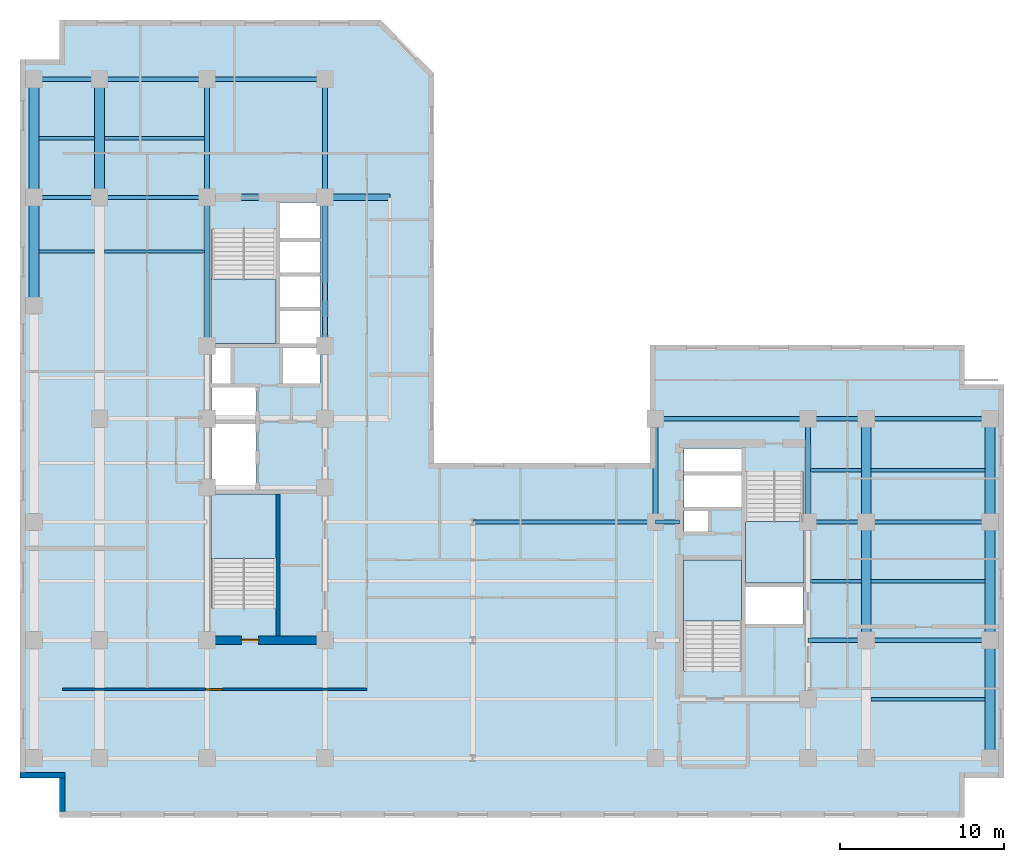
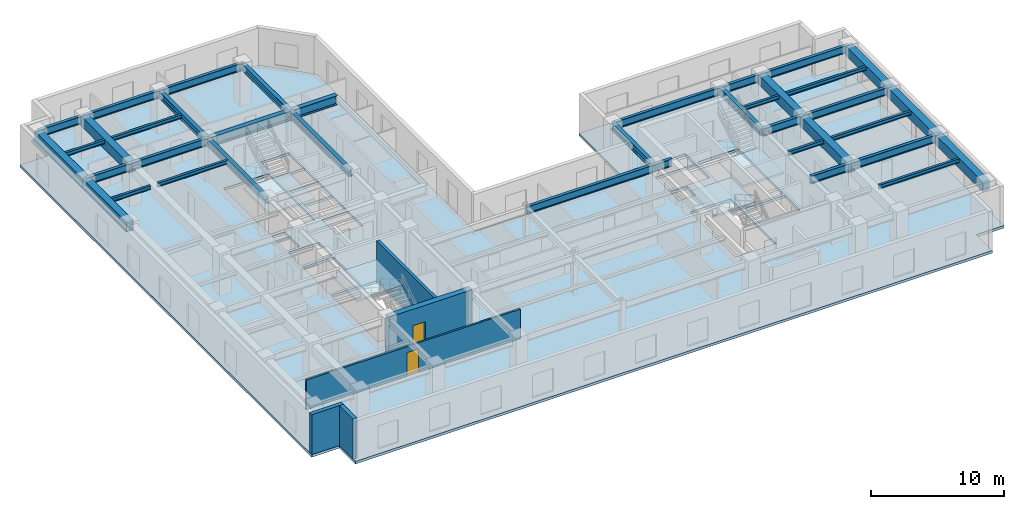
# One storey, part 2 of 10: 38 beams, 5 slabs, 5 walls, 2 doors, 2 openings, 4 elements without a shape of their own.
"""IFC4 building model written with IfcOpenShell, lengths in metres."""

from ifc_helpers import new_model, entity, si_unit, converted_unit, direction, frame, origin_with_axes, origin_2d_with_axis, place, context, subcontext, project, spatial, polyline, rectangle, i_section, outline, extrude, material, layer, layer_set, material_profile, profile_set, type_object, element, fill, aggregate, save


model = new_model("IFC4")

# Units and contexts
model_context = context("Model", 3, precision=1e-05, world=origin_with_axes(), true_north=direction((0.0, 1.0)))
body_context = subcontext(model_context, "Body", "Model", "MODEL_VIEW")
ifc_project = project(units=[si_unit("LENGTHUNIT", "METRE"), si_unit("AREAUNIT", "SQUARE_METRE"), si_unit("VOLUMEUNIT", "CUBIC_METRE"), converted_unit("PLANEANGLEUNIT", "DEGREE", entity("IfcPlaneAngleMeasure", 0.017453292519943295), si_unit("PLANEANGLEUNIT", "RADIAN"), dimensions=[0, 0, 0, 0, 0, 0, 0]), si_unit("MASSUNIT", "GRAM", prefix="KILO"), si_unit("THERMODYNAMICTEMPERATUREUNIT", "KELVIN")], contexts=[model_context])

# Site, building, storey
site_placement = place(None, origin_with_axes())
site = spatial("IfcSite", under=ifc_project, at=site_placement, CompositionType="ELEMENT")
building_placement = place(site_placement, origin_with_axes())
building = spatial("IfcBuilding", under=site, at=building_placement, Name="Varnlund Millrace Tower", CompositionType="ELEMENT")
storey_placement = place(building_placement, frame((0.0, 0.0, 175.8), z_axis=(0.0, 0.0, 1.0), x_axis=(1.0, 0.0, 0.0)))
storey = spatial("IfcBuildingStorey", under=building, at=storey_placement, Name="L43", CompositionType="ELEMENT", Elevation=175.8)

# Beams
ifc_material_1 = material(Name="Steel ASTM A992 Grade 50", Category="steel")
ifc_material_profile_1 = material_profile(ifc_material_1, i_section(OverallWidth=0.328, OverallDepth=0.628, WebThickness=0.0165, FlangeThickness=0.0277, FilletRadius=0.018, at=origin_2d_with_axis()), Name="Steel ASTM A992 Grade 50")
ifc_profile_set_1 = profile_set([ifc_material_profile_1], Name="Steel ASTM A992 Grade 50")
beam_type_1 = type_object("IfcBeamType", Name="Type-Girder-W24X146", PredefinedType="USERDEFINED", material=ifc_profile_set_1)
beam_1_placement = place(storey_placement, frame((11.4, 28.75, 3.346), z_axis=(0.0, 1.0, 0.0), x_axis=(-1.0, 0.0, 0.0)))
element("IfcBeam", 1, at=beam_1_placement, inside=storey, type_object=beam_type_1, Name="Type-Girder-W24X146", ObjectType="GIRDER", PredefinedType="USERDEFINED", context=body_context, shape_type="SweptSolid", body=[
    extrude(i_section(OverallWidth=0.328, OverallDepth=0.628, WebThickness=0.0165, FlangeThickness=0.0277, FilletRadius=0.018, at=origin_2d_with_axis()), origin_with_axes(), (0.0, 0.0, 1.0), 9.05),
])
beam_2_placement = place(storey_placement, frame((11.4, 37.8, 3.346), z_axis=(0.0, 1.0, 0.0), x_axis=(-1.0, 0.0, 0.0)))
element("IfcBeam", 2, at=beam_2_placement, inside=storey, type_object=beam_type_1, Name="Type-Girder-W24X146", ObjectType="GIRDER", PredefinedType="USERDEFINED", context=body_context, shape_type="SweptSolid", body=[
    extrude(i_section(OverallWidth=0.328, OverallDepth=0.628, WebThickness=0.0165, FlangeThickness=0.0277, FilletRadius=0.018, at=origin_2d_with_axis()), origin_with_axes(), (0.0, 0.0, 1.0), 7.2),
])
beam_3_placement = place(storey_placement, frame((18.6, 28.75, 3.346), z_axis=(0.0, 1.0, 0.0), x_axis=(-1.0, 0.0, 0.0)))
element("IfcBeam", 3, at=beam_3_placement, inside=storey, type_object=beam_type_1, Name="Type-Girder-W24X146", ObjectType="GIRDER", PredefinedType="USERDEFINED", context=body_context, shape_type="SweptSolid", body=[
    extrude(i_section(OverallWidth=0.328, OverallDepth=0.628, WebThickness=0.0165, FlangeThickness=0.0277, FilletRadius=0.018, at=origin_2d_with_axis()), origin_with_axes(), (0.0, 0.0, 1.0), 9.05),
])
beam_4_placement = place(storey_placement, frame((18.6, 37.8, 3.346), z_axis=(0.0, 1.0, 0.0), x_axis=(-1.0, 0.0, 0.0)))
element("IfcBeam", 4, at=beam_4_placement, inside=storey, type_object=beam_type_1, Name="Type-Girder-W24X146", ObjectType="GIRDER", PredefinedType="USERDEFINED", context=body_context, shape_type="SweptSolid", body=[
    extrude(i_section(OverallWidth=0.328, OverallDepth=0.628, WebThickness=0.0165, FlangeThickness=0.0277, FilletRadius=0.018, at=origin_2d_with_axis()), origin_with_axes(), (0.0, 0.0, 1.0), 7.2),
])
for number, where, z_axis, x_axis, name in (
    (5, (38.75, 18.0, 3.346), (0.0, 1.0, 0.0), (-1.0, 0.0, 0.0), "Type-Girder-W24X146"),
    (6, (48.05, 18.0, 3.346), (0.0, 1.0, 0.0), (-1.0, 0.0, 0.0), "Type-Girder-W24X146"),
):
    element("IfcBeam", number, at=place(storey_placement, frame(where, z_axis=z_axis, x_axis=x_axis)), inside=storey, type_object=beam_type_1, Name=name, ObjectType="GIRDER", PredefinedType="USERDEFINED", context=body_context, shape_type="SweptSolid", body=[
        extrude(i_section(OverallWidth=0.328, OverallDepth=0.628, WebThickness=0.0165, FlangeThickness=0.0277, FilletRadius=0.018, at=origin_2d_with_axis()), origin_with_axes(), (0.0, 0.0, 1.0), 6.3),
    ])
ifc_material_profile_2 = material_profile(ifc_material_1, i_section(OverallWidth=0.256, OverallDepth=0.693, WebThickness=0.0145, FlangeThickness=0.0236, FilletRadius=0.018, at=origin_2d_with_axis()), Name="Steel ASTM A992 Grade 50")
ifc_profile_set_2 = profile_set([ifc_material_profile_2], Name="Steel ASTM A992 Grade 50")
beam_type_2 = type_object("IfcBeamType", Name="Type-Girder-W27X114", PredefinedType="USERDEFINED", material=ifc_profile_set_2)
beam_5_placement = place(storey_placement, frame((48.05, 10.8, 3.3135), z_axis=(1.0, 0.0, 0.0), x_axis=(0.0, 1.0, 0.0)))
element("IfcBeam", 7, at=beam_5_placement, inside=storey, type_object=beam_type_2, Name="Type-Girder-W27X114", ObjectType="GIRDER", PredefinedType="USERDEFINED", context=body_context, shape_type="SweptSolid", body=[
    extrude(i_section(OverallWidth=0.256, OverallDepth=0.693, WebThickness=0.0145, FlangeThickness=0.0236, FilletRadius=0.018, at=origin_2d_with_axis()), origin_with_axes(), (0.0, 0.0, 1.0), 3.55),
])
beam_6_placement = place(storey_placement, frame((51.6, 10.8, 3.3135), z_axis=(1.0, 0.0, 0.0), x_axis=(0.0, 1.0, 0.0)))
element("IfcBeam", 8, at=beam_6_placement, inside=storey, type_object=beam_type_2, Name="Type-Girder-W27X114", ObjectType="GIRDER", PredefinedType="USERDEFINED", context=body_context, shape_type="SweptSolid", body=[
    extrude(i_section(OverallWidth=0.256, OverallDepth=0.693, WebThickness=0.0145, FlangeThickness=0.0236, FilletRadius=0.018, at=origin_2d_with_axis()), origin_with_axes(), (0.0, 0.0, 1.0), 7.55),
])
beam_7_placement = place(storey_placement, frame((27.6, 18.0, 3.3135), z_axis=(1.0, 0.0, 0.0), x_axis=(0.0, 1.0, 0.0)))
element("IfcBeam", 9, at=beam_7_placement, inside=storey, type_object=beam_type_2, Name="Type-Girder-W27X114", ObjectType="GIRDER", PredefinedType="USERDEFINED", context=body_context, shape_type="SweptSolid", body=[
    extrude(i_section(OverallWidth=0.256, OverallDepth=0.693, WebThickness=0.0145, FlangeThickness=0.0236, FilletRadius=0.018, at=origin_2d_with_axis()), origin_with_axes(), (0.0, 0.0, 1.0), 11.15),
])
beam_8_placement = place(storey_placement, frame((38.75, 18.0, 3.3135), z_axis=(1.0, 0.0, 0.0), x_axis=(0.0, 1.0, 0.0)))
element("IfcBeam", 10, at=beam_8_placement, inside=storey, type_object=beam_type_2, Name="Type-Girder-W27X114", ObjectType="GIRDER", PredefinedType="USERDEFINED", context=body_context, shape_type="SweptSolid", body=[
    extrude(i_section(OverallWidth=0.256, OverallDepth=0.693, WebThickness=0.0145, FlangeThickness=0.0236, FilletRadius=0.018, at=origin_2d_with_axis()), origin_with_axes(), (0.0, 0.0, 1.0), 1.45),
])
beam_9_placement = place(storey_placement, frame((48.05, 18.0, 3.3135), z_axis=(1.0, 0.0, 0.0), x_axis=(0.0, 1.0, 0.0)))
element("IfcBeam", 11, at=beam_9_placement, inside=storey, type_object=beam_type_2, Name="Type-Girder-W27X114", ObjectType="GIRDER", PredefinedType="USERDEFINED", context=body_context, shape_type="SweptSolid", body=[
    extrude(i_section(OverallWidth=0.256, OverallDepth=0.693, WebThickness=0.0145, FlangeThickness=0.0236, FilletRadius=0.018, at=origin_2d_with_axis()), origin_with_axes(), (0.0, 0.0, 1.0), 3.55),
])
beam_10_placement = place(storey_placement, frame((51.6, 18.0, 3.3135), z_axis=(1.0, 0.0, 0.0), x_axis=(0.0, 1.0, 0.0)))
element("IfcBeam", 12, at=beam_10_placement, inside=storey, type_object=beam_type_2, Name="Type-Girder-W27X114", ObjectType="GIRDER", PredefinedType="USERDEFINED", context=body_context, shape_type="SweptSolid", body=[
    extrude(i_section(OverallWidth=0.256, OverallDepth=0.693, WebThickness=0.0145, FlangeThickness=0.0236, FilletRadius=0.018, at=origin_2d_with_axis()), origin_with_axes(), (0.0, 0.0, 1.0), 7.55),
])
beam_11_placement = place(storey_placement, frame((38.75, 24.3, 3.3135), z_axis=(1.0, 0.0, 0.0), x_axis=(0.0, 1.0, 0.0)))
element("IfcBeam", 13, at=beam_11_placement, inside=storey, type_object=beam_type_2, Name="Type-Girder-W27X114", ObjectType="GIRDER", PredefinedType="USERDEFINED", context=body_context, shape_type="SweptSolid", body=[
    extrude(i_section(OverallWidth=0.256, OverallDepth=0.693, WebThickness=0.0145, FlangeThickness=0.0236, FilletRadius=0.018, at=origin_2d_with_axis()), origin_with_axes(), (0.0, 0.0, 1.0), 9.3),
])
beam_12_placement = place(storey_placement, frame((48.05, 24.3, 3.3135), z_axis=(1.0, 0.0, 0.0), x_axis=(0.0, 1.0, 0.0)))
element("IfcBeam", 14, at=beam_12_placement, inside=storey, type_object=beam_type_2, Name="Type-Girder-W27X114", ObjectType="GIRDER", PredefinedType="USERDEFINED", context=body_context, shape_type="SweptSolid", body=[
    extrude(i_section(OverallWidth=0.256, OverallDepth=0.693, WebThickness=0.0145, FlangeThickness=0.0236, FilletRadius=0.018, at=origin_2d_with_axis()), origin_with_axes(), (0.0, 0.0, 1.0), 3.55),
])
beam_13_placement = place(storey_placement, frame((51.6, 24.3, 3.3135), z_axis=(1.0, 0.0, 0.0), x_axis=(0.0, 1.0, 0.0)))
element("IfcBeam", 15, at=beam_13_placement, inside=storey, type_object=beam_type_2, Name="Type-Girder-W27X114", ObjectType="GIRDER", PredefinedType="USERDEFINED", context=body_context, shape_type="SweptSolid", body=[
    extrude(i_section(OverallWidth=0.256, OverallDepth=0.693, WebThickness=0.0145, FlangeThickness=0.0236, FilletRadius=0.018, at=origin_2d_with_axis()), origin_with_axes(), (0.0, 0.0, 1.0), 7.55),
])
beam_14_placement = place(storey_placement, frame((0.85, 37.8, 3.3135), z_axis=(1.0, 0.0, 0.0), x_axis=(0.0, 1.0, 0.0)))
element("IfcBeam", 16, at=beam_14_placement, inside=storey, type_object=beam_type_2, Name="Type-Girder-W27X114", ObjectType="GIRDER", PredefinedType="USERDEFINED", context=body_context, shape_type="SweptSolid", body=[
    extrude(i_section(OverallWidth=0.256, OverallDepth=0.693, WebThickness=0.0145, FlangeThickness=0.0236, FilletRadius=0.018, at=origin_2d_with_axis()), origin_with_axes(), (0.0, 0.0, 1.0), 4.0),
])
beam_15_placement = place(storey_placement, frame((4.85, 37.8, 3.3135), z_axis=(1.0, 0.0, 0.0), x_axis=(0.0, 1.0, 0.0)))
element("IfcBeam", 17, at=beam_15_placement, inside=storey, type_object=beam_type_2, Name="Type-Girder-W27X114", ObjectType="GIRDER", PredefinedType="USERDEFINED", context=body_context, shape_type="SweptSolid", body=[
    extrude(i_section(OverallWidth=0.256, OverallDepth=0.693, WebThickness=0.0145, FlangeThickness=0.0236, FilletRadius=0.018, at=origin_2d_with_axis()), origin_with_axes(), (0.0, 0.0, 1.0), 6.55),
])
beam_16_placement = place(storey_placement, frame((0.85, 45.0, 3.3135), z_axis=(1.0, 0.0, 0.0), x_axis=(0.0, 1.0, 0.0)))
element("IfcBeam", 18, at=beam_16_placement, inside=storey, type_object=beam_type_2, Name="Type-Girder-W27X114", ObjectType="GIRDER", PredefinedType="USERDEFINED", context=body_context, shape_type="SweptSolid", body=[
    extrude(i_section(OverallWidth=0.256, OverallDepth=0.693, WebThickness=0.0145, FlangeThickness=0.0236, FilletRadius=0.018, at=origin_2d_with_axis()), origin_with_axes(), (0.0, 0.0, 1.0), 4.0),
])
beam_17_placement = place(storey_placement, frame((4.85, 45.0, 3.3135), z_axis=(1.0, 0.0, 0.0), x_axis=(0.0, 1.0, 0.0)))
element("IfcBeam", 19, at=beam_17_placement, inside=storey, type_object=beam_type_2, Name="Type-Girder-W27X114", ObjectType="GIRDER", PredefinedType="USERDEFINED", context=body_context, shape_type="SweptSolid", body=[
    extrude(i_section(OverallWidth=0.256, OverallDepth=0.693, WebThickness=0.0145, FlangeThickness=0.0236, FilletRadius=0.018, at=origin_2d_with_axis()), origin_with_axes(), (0.0, 0.0, 1.0), 6.55),
])
beam_18_placement = place(storey_placement, frame((11.4, 45.0, 3.3135), z_axis=(1.0, 0.0, 0.0), x_axis=(0.0, 1.0, 0.0)))
element("IfcBeam", 20, at=beam_18_placement, inside=storey, type_object=beam_type_2, Name="Type-Girder-W27X114", ObjectType="GIRDER", PredefinedType="USERDEFINED", context=body_context, shape_type="SweptSolid", body=[
    extrude(i_section(OverallWidth=0.256, OverallDepth=0.693, WebThickness=0.0145, FlangeThickness=0.0236, FilletRadius=0.018, at=origin_2d_with_axis()), origin_with_axes(), (0.0, 0.0, 1.0), 7.2),
])
ifc_material_profile_3 = material_profile(ifc_material_1, i_section(OverallWidth=0.399, OverallDepth=0.855, WebThickness=0.0182, FlangeThickness=0.0292, FilletRadius=0.022, at=origin_2d_with_axis()), Name="Steel ASTM A992 Grade 50")
ifc_profile_set_3 = profile_set([ifc_material_profile_3], Name="Steel ASTM A992 Grade 50")
beam_type_3 = type_object("IfcBeamType", Name="Type-Girder-W33X201", PredefinedType="USERDEFINED", material=ifc_profile_set_3)
beam_19_placement = place(storey_placement, frame((11.4, 37.8, 3.2325), z_axis=(1.0, 0.0, 0.0), x_axis=(0.0, 1.0, 0.0)))
element("IfcBeam", 21, at=beam_19_placement, inside=storey, type_object=beam_type_3, Name="Type-Girder-W33X201", ObjectType="GIRDER", PredefinedType="USERDEFINED", context=body_context, shape_type="SweptSolid", body=[
    extrude(i_section(OverallWidth=0.399, OverallDepth=0.855, WebThickness=0.0182, FlangeThickness=0.0292, FilletRadius=0.022, at=origin_2d_with_axis()), origin_with_axes(), (0.0, 0.0, 1.0), 11.15),
])
ifc_material_profile_4 = material_profile(ifc_material_1, i_section(OverallWidth=0.204, OverallDepth=0.35, WebThickness=0.0086, FlangeThickness=0.0151, FilletRadius=0.013, at=origin_2d_with_axis()), Name="Steel ASTM A992 Grade 50")
ifc_profile_set_4 = profile_set([ifc_material_profile_4], Name="Steel ASTM A992 Grade 50")
beam_type_4 = type_object("IfcBeamType", Name="Type-Joist-W14X48", PredefinedType="JOIST", material=ifc_profile_set_4)
for number, where, z_axis, x_axis, name in (
    (22, (1.15, 34.5, 3.485), (1.0, 0.0, 0.0), (0.0, 1.0, 0.0), "Type-Joist-W14X48"),
    (23, (1.15, 41.4, 3.485), (1.0, 0.0, 0.0), (0.0, 1.0, 0.0), "Type-Joist-W14X48"),
):
    element("IfcBeam", number, at=place(storey_placement, frame(where, z_axis=z_axis, x_axis=x_axis)), inside=storey, type_object=beam_type_4, Name=name, PredefinedType="JOIST", context=body_context, shape_type="SweptSolid", body=[
        extrude(i_section(OverallWidth=0.204, OverallDepth=0.35, WebThickness=0.0086, FlangeThickness=0.0151, FilletRadius=0.013, at=origin_2d_with_axis()), origin_with_axes(), (0.0, 0.0, 1.0), 3.4),
    ])
for number, where, z_axis, x_axis, name in (
    (24, (5.15, 34.5, 3.485), (1.0, 0.0, 0.0), (0.0, 1.0, 0.0), "Type-Joist-W14X48"),
    (25, (5.15, 41.4, 3.485), (1.0, 0.0, 0.0), (0.0, 1.0, 0.0), "Type-Joist-W14X48"),
):
    element("IfcBeam", number, at=place(storey_placement, frame(where, z_axis=z_axis, x_axis=x_axis)), inside=storey, type_object=beam_type_4, Name=name, PredefinedType="JOIST", context=body_context, shape_type="SweptSolid", body=[
        extrude(i_section(OverallWidth=0.204, OverallDepth=0.35, WebThickness=0.0086, FlangeThickness=0.0151, FilletRadius=0.013, at=origin_2d_with_axis()), origin_with_axes(), (0.0, 0.0, 1.0), 6.086),
    ])
for number, where, z_axis, x_axis, name in (
    (26, (48.214, 14.4, 3.485), (1.0, 0.0, 0.0), (0.0, 1.0, 0.0), "Type-Joist-W14X48"),
    (27, (48.214, 21.15, 3.485), (1.0, 0.0, 0.0), (0.0, 1.0, 0.0), "Type-Joist-W14X48"),
):
    element("IfcBeam", number, at=place(storey_placement, frame(where, z_axis=z_axis, x_axis=x_axis)), inside=storey, type_object=beam_type_4, Name=name, PredefinedType="JOIST", context=body_context, shape_type="SweptSolid", body=[
        extrude(i_section(OverallWidth=0.204, OverallDepth=0.35, WebThickness=0.0086, FlangeThickness=0.0151, FilletRadius=0.013, at=origin_2d_with_axis()), origin_with_axes(), (0.0, 0.0, 1.0), 3.086),
    ])
for number, where, z_axis, x_axis, name in (
    (28, (51.9, 7.2, 3.485), (1.0, 0.0, 0.0), (0.0, 1.0, 0.0), "Type-Joist-W14X48"),
    (29, (51.9, 14.4, 3.485), (1.0, 0.0, 0.0), (0.0, 1.0, 0.0), "Type-Joist-W14X48"),
    (30, (51.9, 21.15, 3.485), (1.0, 0.0, 0.0), (0.0, 1.0, 0.0), "Type-Joist-W14X48"),
):
    element("IfcBeam", number, at=place(storey_placement, frame(where, z_axis=z_axis, x_axis=x_axis)), inside=storey, type_object=beam_type_4, Name=name, PredefinedType="JOIST", context=body_context, shape_type="SweptSolid", body=[
        extrude(i_section(OverallWidth=0.204, OverallDepth=0.35, WebThickness=0.0086, FlangeThickness=0.0151, FilletRadius=0.013, at=origin_2d_with_axis()), origin_with_axes(), (0.0, 0.0, 1.0), 6.95),
    ])
ifc_material_2 = material(Name="Concrete C70/85", Category="concrete")
ifc_material_profile_5 = material_profile(ifc_material_2, rectangle(XDim=0.6, YDim=0.9, at=origin_2d_with_axis()), Name="Concrete C70/85")
ifc_profile_set_5 = profile_set([ifc_material_profile_5], Name="Concrete C70/85")
beam_type_5 = type_object("IfcBeamType", Name="Type-Spandrel-RC600X900", PredefinedType="SPANDREL", material=ifc_profile_set_5)
beam_20_placement = place(storey_placement, frame((0.85, 31.2, 3.21), z_axis=(0.0, 1.0, 0.0), x_axis=(-1.0, 0.0, 0.0)))
element("IfcBeam", 31, at=beam_20_placement, inside=storey, type_object=beam_type_5, Name="Type-Spandrel-RC600X900", PredefinedType="SPANDREL", context=body_context, shape_type="SweptSolid", body=[
    extrude(rectangle(XDim=0.6, YDim=0.9, at=origin_2d_with_axis()), origin_with_axes(), (0.0, 0.0, 1.0), 6.6),
])
for number, where, z_axis, x_axis, name in (
    (32, (0.85, 37.8, 3.21), (0.0, 1.0, 0.0), (-1.0, 0.0, 0.0), "Type-Spandrel-RC600X900"),
    (33, (4.85, 37.8, 3.21), (0.0, 1.0, 0.0), (-1.0, 0.0, 0.0), "Type-Spandrel-RC600X900"),
    (34, (51.6, 10.8, 3.21), (0.0, 1.0, 0.0), (-1.0, 0.0, 0.0), "Type-Spandrel-RC600X900"),
):
    element("IfcBeam", number, at=place(storey_placement, frame(where, z_axis=z_axis, x_axis=x_axis)), inside=storey, type_object=beam_type_5, Name=name, PredefinedType="SPANDREL", context=body_context, shape_type="SweptSolid", body=[
        extrude(rectangle(XDim=0.6, YDim=0.9, at=origin_2d_with_axis()), origin_with_axes(), (0.0, 0.0, 1.0), 7.2),
    ])
beam_21_placement = place(storey_placement, frame((51.6, 18.0, 3.21), z_axis=(0.0, 1.0, 0.0), x_axis=(-1.0, 0.0, 0.0)))
element("IfcBeam", 35, at=beam_21_placement, inside=storey, type_object=beam_type_5, Name="Type-Spandrel-RC600X900", PredefinedType="SPANDREL", context=body_context, shape_type="SweptSolid", body=[
    extrude(rectangle(XDim=0.6, YDim=0.9, at=origin_2d_with_axis()), origin_with_axes(), (0.0, 0.0, 1.0), 6.3),
])
for number, where, z_axis, x_axis, name in (
    (36, (59.15, 3.6, 3.21), (0.0, 1.0, 0.0), (-1.0, 0.0, 0.0), "Type-Spandrel-RC600X900"),
    (37, (59.15, 10.8, 3.21), (0.0, 1.0, 0.0), (-1.0, 0.0, 0.0), "Type-Spandrel-RC600X900"),
):
    element("IfcBeam", number, at=place(storey_placement, frame(where, z_axis=z_axis, x_axis=x_axis)), inside=storey, type_object=beam_type_5, Name=name, PredefinedType="SPANDREL", context=body_context, shape_type="SweptSolid", body=[
        extrude(rectangle(XDim=0.6, YDim=0.9, at=origin_2d_with_axis()), origin_with_axes(), (0.0, 0.0, 1.0), 7.2),
    ])
beam_22_placement = place(storey_placement, frame((59.15, 18.0, 3.21), z_axis=(0.0, 1.0, 0.0), x_axis=(-1.0, 0.0, 0.0)))
element("IfcBeam", 38, at=beam_22_placement, inside=storey, type_object=beam_type_5, Name="Type-Spandrel-RC600X900", PredefinedType="SPANDREL", context=body_context, shape_type="SweptSolid", body=[
    extrude(rectangle(XDim=0.6, YDim=0.9, at=origin_2d_with_axis()), origin_with_axes(), (0.0, 0.0, 1.0), 6.3),
])

# Slab
ifc_material_3 = material(Name="Concrete C60/75", Category="concrete")
ifc_layer_1 = layer(ifc_material_3, 0.24, Name="Concrete C60/75")
ifc_layer_set_1 = layer_set([ifc_layer_1], Name="Concrete C60/75")
slab_type_1 = type_object("IfcSlabType", Name="Type-Deck-Plate-Typical-240", PredefinedType="FLOOR", material=ifc_layer_set_1)
slab_1_placement = place(storey_placement, frame((0.0, 0.0, -0.24), z_axis=(0.0, 0.0, 1.0), x_axis=(1.0, 0.0, 0.0)))
element("IfcSlab", 39, at=slab_1_placement, inside=storey, type_object=slab_type_1, Name="Type-Deck-Plate-Typical-240", PredefinedType="FLOOR", context=body_context, shape_type="SweptSolid", body=[
    extrude(outline(polyline([(25.253, 21.6), (25.253, 45.36), (22.013, 48.6), (2.4, 48.6), (2.4, 46.2), (0.0, 46.2), (0.0, 2.4), (2.4, 2.4), (2.4, 0.0), (57.6, 0.0), (57.6, 2.4), (60.0, 2.4), (60.0, 26.4), (57.6, 26.4), (57.6, 28.8), (38.4, 28.8), (38.4, 21.6), (25.253, 21.6)]), holes=[polyline([(15.6, 12.715), (11.7, 12.715), (11.7, 19.7), (15.6, 19.7), (15.6, 12.715)]), polyline([(14.38, 23.98), (14.38, 19.94), (11.7, 19.94), (11.7, 23.98), (14.38, 23.98)]), polyline([(14.38, 24.24), (11.7, 24.24), (11.7, 26.2), (14.38, 26.2), (14.38, 24.24)]), polyline([(12.84, 26.46), (11.7, 26.46), (11.7, 28.65), (12.84, 28.65), (12.84, 26.46)]), polyline([(18.3, 28.9), (15.84, 28.9), (15.84, 30.98), (18.3, 30.98), (18.3, 28.9)]), polyline([(18.3, 31.02), (15.84, 31.02), (15.84, 33.08), (18.3, 33.08), (18.3, 31.02)]), polyline([(15.6, 28.9), (11.7, 28.9), (11.7, 35.885), (15.6, 35.885), (15.6, 28.9)]), polyline([(18.3, 33.12), (15.84, 33.12), (15.84, 35.18), (18.3, 35.18), (18.3, 33.12)]), polyline([(44.0, 8.915), (40.5, 8.915), (40.5, 15.7), (44.0, 15.7), (44.0, 8.915)]), polyline([(47.75, 11.74), (44.25, 11.74), (44.25, 14.06), (47.75, 14.06), (47.75, 11.74)]), polyline([(47.75, 14.3), (44.25, 14.3), (44.25, 21.085), (47.75, 21.085), (47.75, 14.3)]), polyline([(41.95, 17.42), (40.5, 17.42), (40.5, 18.72), (41.95, 18.72), (41.95, 17.42)]), polyline([(44.0, 18.88), (40.5, 18.88), (40.5, 20.94), (44.0, 20.94), (44.0, 18.88)]), polyline([(44.0, 21.0), (40.5, 21.0), (40.5, 22.5), (44.0, 22.5), (44.0, 21.0)]), polyline([(16.04, 26.46), (16.04, 28.65), (18.3, 28.65), (18.3, 26.46), (16.04, 26.46)]), polyline([(15.84, 35.22), (15.84, 37.5), (18.3, 37.5), (18.3, 35.22), (15.84, 35.22)])]), origin_with_axes(), (0.0, 0.0, 1.0), 0.24),
])

# Stair, slab
ifc_material_4 = material(Name="Concrete C50/60", Category="concrete")
stair_type_1 = type_object("IfcStairType", Name="Type-Stair-Dogleg-185-390", PredefinedType="HALF_TURN_STAIR", material=ifc_material_4)
stair_1_placement = place(storey_placement, origin_with_axes())
stair_1 = element("IfcStair", 40, at=stair_1_placement, inside=storey, type_object=stair_type_1, Name="Type-Stair-Dogleg-185-390", PredefinedType="HALF_TURN_STAIR")
ifc_layer_2 = layer(ifc_material_4, 0.2, Name="Concrete C50/60")
ifc_layer_set_2 = layer_set([ifc_layer_2], Name="Concrete C50/60")
slab_type_2 = type_object("IfcSlabType", Name="Type-StairLanding-200", PredefinedType="LANDING", material=ifc_layer_set_2)
slab_2_placement = place(storey_placement, frame((0.0, 0.0, 1.75), z_axis=(0.0, 0.0, 1.0), x_axis=(1.0, 0.0, 0.0)))
slab_2 = element("IfcSlab", 41, at=slab_2_placement, type_object=slab_type_2, Name="ST-A1 landing 1", PredefinedType="LANDING", context=body_context, shape_type="SweptSolid", body=[
    extrude(outline(polyline([(15.6, 15.78), (15.6, 19.7), (11.65, 19.7), (11.65, 15.78), (15.6, 15.78)])), origin_with_axes(), (0.0, 0.0, 1.0), 0.2),
])
aggregate(stair_1, [slab_2])

stair_2_placement = place(storey_placement, origin_with_axes())
stair_2 = element("IfcStair", 42, at=stair_2_placement, inside=storey, type_object=stair_type_1, Name="Type-Stair-Dogleg-185-390", PredefinedType="HALF_TURN_STAIR")
slab_3_placement = place(storey_placement, frame((0.0, 0.0, 1.75), z_axis=(0.0, 0.0, 1.0), x_axis=(1.0, 0.0, 0.0)))
slab_3 = element("IfcSlab", 43, at=slab_3_placement, type_object=slab_type_2, Name="ST-A2 landing 1", PredefinedType="LANDING", context=body_context, shape_type="SweptSolid", body=[
    extrude(outline(polyline([(11.65, 32.82), (11.65, 28.9), (15.6, 28.9), (15.6, 32.82), (11.65, 32.82)])), origin_with_axes(), (0.0, 0.0, 1.0), 0.2),
])
aggregate(stair_2, [slab_3])

stair_type_2 = type_object("IfcStairType", Name="Type-Stair-Dogleg-165-390", PredefinedType="HALF_TURN_STAIR", material=ifc_material_4)
stair_3_placement = place(storey_placement, origin_with_axes())
stair_3 = element("IfcStair", 44, at=stair_3_placement, inside=storey, type_object=stair_type_2, Name="Type-Stair-Dogleg-165-390", PredefinedType="HALF_TURN_STAIR")
slab_4_placement = place(storey_placement, frame((0.0, 0.0, 1.75), z_axis=(0.0, 0.0, 1.0), x_axis=(1.0, 0.0, 0.0)))
slab_4 = element("IfcSlab", 45, at=slab_4_placement, type_object=slab_type_2, Name="ST-B1 landing 1", PredefinedType="LANDING", context=body_context, shape_type="SweptSolid", body=[
    extrude(outline(polyline([(44.0, 11.98), (44.0, 15.7), (40.45, 15.7), (40.45, 11.98), (44.0, 11.98)])), origin_with_axes(), (0.0, 0.0, 1.0), 0.2),
])
aggregate(stair_3, [slab_4])

stair_4_placement = place(storey_placement, origin_with_axes())
stair_4 = element("IfcStair", 46, at=stair_4_placement, inside=storey, type_object=stair_type_2, Name="Type-Stair-Dogleg-165-390", PredefinedType="HALF_TURN_STAIR")
slab_5_placement = place(storey_placement, frame((0.0, 0.0, 1.75), z_axis=(0.0, 0.0, 1.0), x_axis=(1.0, 0.0, 0.0)))
slab_5 = element("IfcSlab", 47, at=slab_5_placement, type_object=slab_type_2, Name="ST-B2 landing 1", PredefinedType="LANDING", context=body_context, shape_type="SweptSolid", body=[
    extrude(outline(polyline([(44.25, 18.02), (44.25, 14.3), (47.8, 14.3), (47.8, 18.02), (44.25, 18.02)])), origin_with_axes(), (0.0, 0.0, 1.0), 0.2),
])
aggregate(stair_4, [slab_5])

# Wall, opening, door
ifc_layer_3 = layer(ifc_material_2, 0.5, Name="Concrete C70/85")
ifc_layer_set_3 = layer_set([ifc_layer_3], Name="Concrete C70/85")
wall_type_1 = type_object("IfcWallType", Name="Type-CoreWall-Shear-500-C70", PredefinedType="SHEAR", material=ifc_layer_set_3)
wall_1_placement = place(storey_placement, frame((11.4, 10.8, 0.0), z_axis=(0.0, 0.0, 1.0), x_axis=(1.0, 0.0, 0.0)))
wall_1 = element("IfcWall", 48, at=wall_1_placement, inside=storey, type_object=wall_type_1, Name="Type-CoreWall-Shear-500-C70", PredefinedType="SHEAR", context=body_context, shape_type="SweptSolid", body=[
    extrude(outline(polyline([(0.0, -0.25), (7.2, -0.25), (7.2, 0.25), (0.0, 0.25), (0.0, -0.25)])), origin_with_axes(), (0.0, 0.0, 1.0), 3.66),
])
opening_1_placement = place(wall_1_placement, frame((2.625, 0.0, 0.0), z_axis=(0.0, 0.0, 1.0), x_axis=(1.0, 0.0, 0.0)))
opening_1 = element("IfcOpeningElement", 49, at=opening_1_placement, cuts=wall_1, Name="Opening L43:DR-STA1", PredefinedType="OPENING", context=body_context, shape_type="SweptSolid", body=[
    extrude(rectangle(XDim=1.05, YDim=0.52, at=origin_2d_with_axis()), origin_with_axes(), (0.0, 0.0, 1.0), 2.15),
])
ifc_material_5 = material(Name="Fire-rated hollow steel door", Category="steel")
door_type_1 = type_object("IfcDoorType", Name="Type-FireDoor-Stair-1050X2150", OperationType="NOTDEFINED", PredefinedType="DOOR", material=ifc_material_5)
door_1_placement = place(wall_1_placement, frame((2.625, 0.0, 0.0), z_axis=(0.0, 0.0, 1.0), x_axis=(1.0, 0.0, 0.0)))
door_1 = element("IfcDoor", 50, at=door_1_placement, inside=storey, type_object=door_type_1, Name="Type-FireDoor-Stair-1050X2150", OperationType="SINGLE_SWING_LEFT", OverallHeight=2.15, OverallWidth=1.05, PredefinedType="DOOR", context=body_context, shape_type="SweptSolid", body=[
    extrude(rectangle(XDim=1.05, YDim=0.09, at=origin_2d_with_axis()), origin_with_axes(), (0.0, 0.0, 1.0), 2.15),
])
fill(opening_1, door_1)

# Walls
ifc_material_6 = material(Name="Precast concrete C50/60", Category="concrete")
ifc_layer_4 = layer(ifc_material_6, 0.34, Name="Precast concrete C50/60")
ifc_layer_set_4 = layer_set([ifc_layer_4], Name="Precast concrete C50/60")
wall_type_2 = type_object("IfcWallType", Name="Type-ExtWall-Precast-Upper-340", PredefinedType="SOLIDWALL", material=ifc_layer_set_4)
wall_2_placement = place(storey_placement, frame((2.57, 0.34, 0.0), z_axis=(0.0, 0.0, 1.0), x_axis=(0.0, 1.0, 0.0)))
element("IfcWall", 51, at=wall_2_placement, inside=storey, type_object=wall_type_2, Name="Type-ExtWall-Precast-Upper-340", PredefinedType="SOLIDWALL", context=body_context, shape_type="SweptSolid", body=[
    extrude(outline(polyline([(0.0, -0.17), (2.06, -0.17), (2.06, 0.17), (0.0, 0.17), (0.0, -0.17)])), origin_with_axes(), (0.0, 0.0, 1.0), 3.66),
])
wall_3_placement = place(storey_placement, frame((2.74, 2.57, 0.0), z_axis=(0.0, 0.0, 1.0), x_axis=(-1.0, 0.0, 0.0)))
element("IfcWall", 52, at=wall_3_placement, inside=storey, type_object=wall_type_2, Name="Type-ExtWall-Precast-Upper-340", PredefinedType="SOLIDWALL", context=body_context, shape_type="SweptSolid", body=[
    extrude(outline(polyline([(0.0, -0.17), (2.74, -0.17), (2.74, 0.17), (0.0, 0.17), (0.0, -0.17)])), origin_with_axes(), (0.0, 0.0, 1.0), 3.66),
])

# Wall, opening, door
ifc_material_7 = material(Name="Fire-rated gypsum board on cold-formed steel framing", Category="steel")
ifc_layer_5 = layer(ifc_material_7, 0.16, Name="Fire-rated gypsum board on cold-formed steel framing")
ifc_layer_set_5 = layer_set([ifc_layer_5], Name="Fire-rated gypsum board on cold-formed steel framing")
wall_type_3 = type_object("IfcWallType", Name="Type-Partition-Corridor-160", PredefinedType="PARTITIONING", material=ifc_layer_set_5)
wall_4_placement = place(storey_placement, frame((2.6, 7.8, 0.0), z_axis=(0.0, 0.0, 1.0), x_axis=(1.0, 0.0, 0.0)))
wall_4 = element("IfcWall", 53, at=wall_4_placement, inside=storey, type_object=wall_type_3, Name="Type-Partition-Corridor-160", PredefinedType="PARTITIONING", context=body_context, shape_type="SweptSolid", body=[
    extrude(outline(polyline([(0.0, -0.08), (18.55, -0.08), (18.55, 0.08), (0.0, 0.08), (0.0, -0.08)])), origin_with_axes(), (0.0, 0.0, 1.0), 2.7),
])
opening_2_placement = place(wall_4_placement, frame((9.245, 0.0, 0.0), z_axis=(0.0, 0.0, 1.0), x_axis=(1.0, 0.0, 0.0)))
opening_2 = element("IfcOpeningElement", 54, at=opening_2_placement, cuts=wall_4, Name="Opening L43:DR-WAS-01", PredefinedType="OPENING", context=body_context, shape_type="SweptSolid", body=[
    extrude(rectangle(XDim=1.0, YDim=0.18, at=origin_2d_with_axis()), origin_with_axes(), (0.0, 0.0, 1.0), 2.15),
])
ifc_material_8 = material(Name="Solid-core white oak and bronze frame door")
door_type_2 = type_object("IfcDoorType", Name="Type-IntDoor-Office-1000X2150", OperationType="NOTDEFINED", PredefinedType="DOOR", material=ifc_material_8)
door_2_placement = place(wall_4_placement, frame((9.245, 0.0, 0.0), z_axis=(0.0, 0.0, 1.0), x_axis=(1.0, 0.0, 0.0)))
door_2 = element("IfcDoor", 55, at=door_2_placement, inside=storey, type_object=door_type_2, Name="Type-IntDoor-Office-1000X2150", OperationType="SINGLE_SWING_LEFT", OverallHeight=2.15, OverallWidth=1.0, PredefinedType="DOOR", context=body_context, shape_type="SweptSolid", body=[
    extrude(rectangle(XDim=1.0, YDim=0.09, at=origin_2d_with_axis()), origin_with_axes(), (0.0, 0.0, 1.0), 2.15),
])
fill(opening_2, door_2)

# Wall
ifc_layer_6 = layer(ifc_material_3, 0.25, Name="Concrete C60/75")
ifc_layer_set_6 = layer_set([ifc_layer_6], Name="Concrete C60/75")
wall_type_4 = type_object("IfcWallType", Name="Type-StairWall-Shear-250", PredefinedType="SHEAR", material=ifc_layer_set_6)
wall_5_placement = place(storey_placement, frame((15.725, 11.05, 0.0), z_axis=(0.0, 0.0, 1.0), x_axis=(0.0, 1.0, 0.0)))
element("IfcWall", 56, at=wall_5_placement, inside=storey, type_object=wall_type_4, Name="Type-StairWall-Shear-250", PredefinedType="SHEAR", context=body_context, shape_type="SweptSolid", body=[
    extrude(outline(polyline([(0.0, -0.125), (8.65, -0.125), (8.65, 0.125), (0.0, 0.125), (0.0, -0.125)])), origin_with_axes(), (0.0, 0.0, 1.0), 3.66),
])

save(model, "model.ifc")
